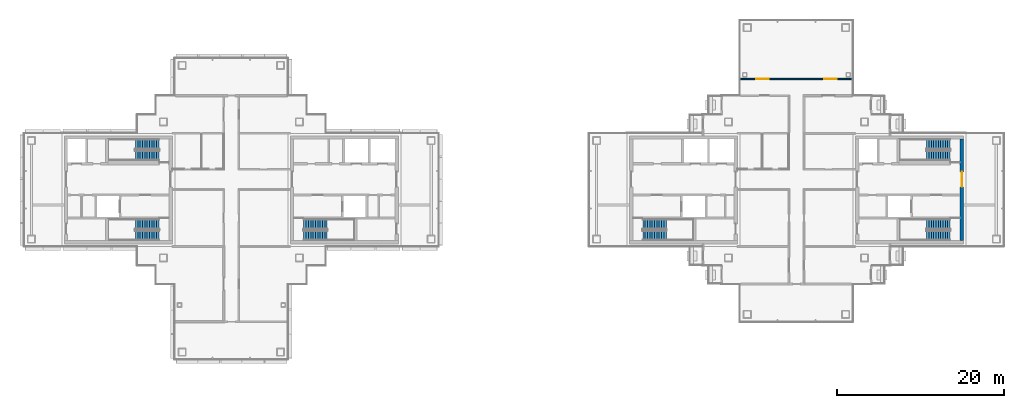
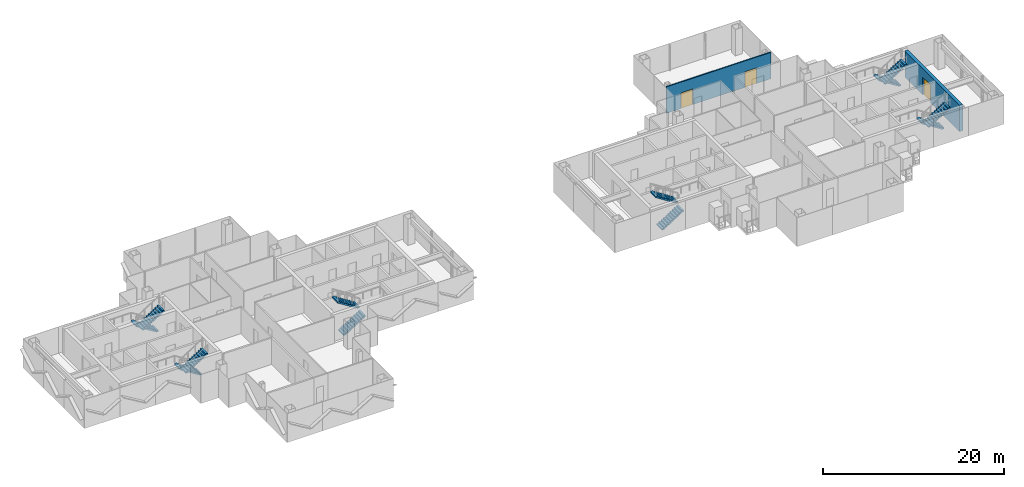
# One storey, part 13 of 17: 12 stair flights, 3 doors, 2 walls, 3 openings, 6 elements without a shape of their own.
"""IFC4 building model written with IfcOpenShell, lengths in metres."""

from ifc_helpers import new_model, si_unit, direction, frame, frame_2d, origin, place, context, subcontext, project, spatial, polyline, rectangle, outline, extrude, material, layer, layer_set, type_object, element, fill, aggregate, save


model = new_model("IFC4")

# Units and contexts
model_context = context("Model", 3, precision=1e-05, world=origin(), true_north=direction((0.0, 1.0)))
body_context = subcontext(model_context, "Body", "Model", "MODEL_VIEW")
ifc_project = project(units=[si_unit("LENGTHUNIT", "METRE"), si_unit("AREAUNIT", "SQUARE_METRE"), si_unit("VOLUMEUNIT", "CUBIC_METRE"), si_unit("PLANEANGLEUNIT", "RADIAN"), si_unit("MASSUNIT", "GRAM", prefix="KILO")], contexts=[model_context])

# Site, building, storey
site_placement = place(None, origin())
site = spatial("IfcSite", under=ifc_project, at=site_placement, CompositionType="ELEMENT")
building_placement = place(site_placement, origin())
building = spatial("IfcBuilding", under=site, at=building_placement, Name="Shamsa Quay Exchange Towers", CompositionType="ELEMENT")
storey_placement = place(building_placement, frame((0.0, 0.0, 230.39990234375)))
storey = spatial("IfcBuildingStorey", under=building, at=storey_placement, Name="L55", CompositionType="ELEMENT", Elevation=230.39990234375)

# Wall, opening, door
ifc_material_1 = material(Name="Concrete C60/75", Category="concrete")
ifc_layer_1 = layer(ifc_material_1, 0.39990234375)
ifc_layer_set_1 = layer_set([ifc_layer_1], Name="CORE WALL 400 C60/75")
wall_type_1 = type_object("IfcWallType", Name="CORE WALL 400 C60/75", PredefinedType="SHEAR", material=ifc_layer_set_1)
wall_1_placement = place(storey_placement, frame((53.5, -6.050048828125, 0.0), z_axis=(0.0, 0.0, 1.0), x_axis=(0.0, 1.0, 0.0)))
wall_1 = element("IfcWall", 1, at=wall_1_placement, inside=storey, type_object=wall_type_1, Name="Core wall T2B-R25-PF", PredefinedType="SHEAR", context=body_context, shape_type="SweptSolid", body=[
    extrude(rectangle(XDim=12.10009765625, YDim=0.39990234375, at=frame_2d((6.050048828125, 0.0))), origin(), (0.0, 0.0, 1.0), 3.550048828125),
])
opening_1_placement = place(wall_1_placement, frame((6.39990234375, 0.0, 0.0)))
opening_1 = element("IfcOpeningElement", 2, at=opening_1_placement, cuts=wall_1, Name="Opening T2B-R25-LBD01", PredefinedType="OPENING", context=body_context, shape_type="SweptSolid", body=[
    extrude(rectangle(XDim=1.800048828125, YDim=2.39990234375, at=frame_2d((0.89990234375, 1.199951171875))), frame((0.0, 0.2099609375, 0.0), z_axis=(0.0, -1.0, 0.0), x_axis=(1.0, 0.0, 0.0)), (0.0, 0.0, 1.0), 0.419921875),
])
ifc_material_2 = material(Name="Steel, fire rated", Category="steel")
door_type_1 = type_object("IfcDoorType", Name="LIFT LOBBY DOOR PAIR 1800", OperationType="DOUBLE_DOOR_SINGLE_SWING", PredefinedType="DOOR", material=ifc_material_2)
door_1_placement = place(opening_1_placement, origin())
door_1 = element("IfcDoor", 3, at=door_1_placement, inside=storey, type_object=door_type_1, Name="T2B-R25-LBD01", OperationType="DOUBLE_DOOR_SINGLE_SWING", OverallHeight=2.39990234375, OverallWidth=1.800048828125, PredefinedType="DOOR", context=body_context, shape_type="SweptSolid", body=[
    extrude(rectangle(XDim=1.800048828125, YDim=2.39990234375, at=frame_2d((0.89990234375, 1.199951171875))), frame((0.0, 0.02490234375, 0.0), z_axis=(0.0, -1.0, 0.0), x_axis=(1.0, 0.0, 0.0)), (0.0, 0.0, 1.0), 0.050048828125),
])
fill(opening_1, door_1)

# Wall, openings, doors
ifc_material_3 = material(Name="Gypsum board partition on metal studs")
ifc_layer_2 = layer(ifc_material_3, 0.14990234375)
ifc_layer_set_2 = layer_set([ifc_layer_2], Name="Partition 150 mm EI 60")
wall_type_2 = type_object("IfcWallType", Name="Partition 150 mm EI 60", PredefinedType="PARTITIONING", material=ifc_layer_set_2)
wall_2_placement = place(storey_placement, frame((40.405029296875, 13.25, 0.0), z_axis=(0.0, 0.0, 1.0), x_axis=(-1.0, 0.0, 0.0)))
wall_2 = element("IfcWall", 4, at=wall_2_placement, inside=storey, type_object=wall_type_2, Name="Partition T2-R25-W13", PredefinedType="PARTITIONING", context=body_context, shape_type="SweptSolid", body=[
    extrude(rectangle(XDim=13.31005859375, YDim=0.14990234375, at=frame_2d((6.655029296875, 0.0))), origin(), (0.0, 0.0, 1.0), 3.550048828125),
])
opening_2_placement = place(wall_2_placement, frame((9.955078125, 0.0, 0.0)))
opening_2 = element("IfcOpeningElement", 5, at=opening_2_placement, cuts=wall_2, Name="Opening T2-R25-D11", PredefinedType="OPENING", context=body_context, shape_type="SweptSolid", body=[
    extrude(rectangle(XDim=1.5, YDim=2.10009765625, at=frame_2d((0.75, 1.050048828125))), frame((0.0, 0.0849609375, 0.0), z_axis=(0.0, -1.0, 0.0), x_axis=(1.0, 0.0, 0.0)), (0.0, 0.0, 1.0), 0.169921875),
])
opening_3_placement = place(wall_2_placement, frame((1.85498046875, 0.0, 0.0)))
opening_3 = element("IfcOpeningElement", 6, at=opening_3_placement, cuts=wall_2, Name="Opening T2-R25-D12", PredefinedType="OPENING", context=body_context, shape_type="SweptSolid", body=[
    extrude(rectangle(XDim=1.5, YDim=2.10009765625, at=frame_2d((0.75, 1.050048828125))), frame((0.0, 0.0849609375, 0.0), z_axis=(0.0, -1.0, 0.0), x_axis=(1.0, 0.0, 0.0)), (0.0, 0.0, 1.0), 0.169921875),
])
ifc_material_4 = material(Name="Timber door leaf in a metal frame", Category="wood")
door_type_2 = type_object("IfcDoorType", Name="Door 1500x2100 FD30S pair", OperationType="NOTDEFINED", PredefinedType="DOOR", material=ifc_material_4)
door_2_placement = place(opening_2_placement, origin())
door_2 = element("IfcDoor", 7, at=door_2_placement, inside=storey, type_object=door_type_2, Name="Door T2-R25-D11", OperationType="DOUBLE_DOOR_SINGLE_SWING", OverallHeight=2.10009765625, OverallWidth=1.5, PredefinedType="DOOR", context=body_context, shape_type="SweptSolid", body=[
    extrude(rectangle(XDim=1.5, YDim=2.10009765625, at=frame_2d((0.75, 1.050048828125))), frame((0.0, 0.02490234375, 0.0), z_axis=(0.0, -1.0, 0.0), x_axis=(1.0, 0.0, 0.0)), (0.0, 0.0, 1.0), 0.050048828125),
])
fill(opening_2, door_2)
door_3_placement = place(opening_3_placement, origin())
door_3 = element("IfcDoor", 8, at=door_3_placement, inside=storey, type_object=door_type_2, Name="Door T2-R25-D12", OperationType="DOUBLE_DOOR_SINGLE_SWING", OverallHeight=2.10009765625, OverallWidth=1.5, PredefinedType="DOOR", context=body_context, shape_type="SweptSolid", body=[
    extrude(rectangle(XDim=1.5, YDim=2.10009765625, at=frame_2d((0.75, 1.050048828125))), frame((0.0, 0.02490234375, 0.0), z_axis=(0.0, -1.0, 0.0), x_axis=(1.0, 0.0, 0.0)), (0.0, 0.0, 1.0), 0.050048828125),
])
fill(opening_3, door_3)

# Stair, stair flights
ifc_material_5 = material(Name="Concrete C40/50", Category="concrete")
stair_type = type_object("IfcStairType", Name="EXIT STAIR 22 RISERS 177 MM", PredefinedType="HALF_TURN_STAIR", material=ifc_material_5)
stair_1_placement = place(storey_placement, origin())
stair_1 = element("IfcStair", 9, at=stair_1_placement, inside=storey, type_object=stair_type, Name="L55 Exit stair ST1", PredefinedType="HALF_TURN_STAIR")
stair_flight_type = type_object("IfcStairFlightType", Name="EXIT STAIR FLIGHT 11 RISERS 177 MM", PredefinedType="STRAIGHT", material=ifc_material_5)
stair_flight_1_placement = place(storey_placement, frame((-25.10009765625, -5.449951171875, 0.0)))
stair_flight_1 = element("IfcStairFlight", 10, at=stair_flight_1_placement, type_object=stair_flight_type, Name="ST1 flight 1", NumberOfRisers=11, NumberOfTreads=10, PredefinedType="STRAIGHT", RiserHeight=0.177272727, TreadLength=0.28, context=body_context, shape_type="SweptSolid", body=[
    extrude(outline(polyline([(0.0, 0.0), (0.0, 0.17724609375), (0.280029296875, 0.17724609375), (0.280029296875, 0.3544921875), (0.56005859375, 0.3544921875), (0.56005859375, 0.53173828125), (0.840087890625, 0.53173828125), (0.840087890625, 0.708984375), (1.1201171875, 0.708984375), (1.1201171875, 0.886474609375), (1.39990234375, 0.886474609375), (1.39990234375, 1.063720703125), (1.679931640625, 1.063720703125), (1.679931640625, 1.240966796875), (1.9599609375, 1.240966796875), (1.9599609375, 1.418212890625), (2.239990234375, 1.418212890625), (2.239990234375, 1.595458984375), (2.52001953125, 1.595458984375), (2.52001953125, 1.772705078125), (2.800048828125, 1.772705078125), (2.800048828125, 1.949951171875), (2.800048828125, 1.607177734375), (0.261474609375, 0.0), (0.0, 0.0)])), frame((0.0, 0.60009765625, 0.0), z_axis=(0.0, -1.0, 0.0), x_axis=(1.0, 0.0, 0.0)), (0.0, 0.0, 1.0), 1.199951171875),
])
stair_flight_2_placement = place(storey_placement, frame((-22.300048828125, -4.10009765625, 1.9501953125), z_axis=(0.0, 0.0, 1.0), x_axis=(-1.0, 0.0, 0.0)))
stair_flight_2 = element("IfcStairFlight", 11, at=stair_flight_2_placement, type_object=stair_flight_type, Name="ST1 flight 2", NumberOfRisers=11, NumberOfTreads=10, PredefinedType="STRAIGHT", RiserHeight=0.177272727, TreadLength=0.28, context=body_context, shape_type="SweptSolid", body=[
    extrude(outline(polyline([(0.0, 0.0), (0.0, 0.17724609375), (0.280029296875, 0.17724609375), (0.280029296875, 0.3544921875), (0.56005859375, 0.3544921875), (0.56005859375, 0.53173828125), (0.840087890625, 0.53173828125), (0.840087890625, 0.708984375), (1.1201171875, 0.708984375), (1.1201171875, 0.886474609375), (1.39990234375, 0.886474609375), (1.39990234375, 1.063720703125), (1.679931640625, 1.063720703125), (1.679931640625, 1.240966796875), (1.9599609375, 1.240966796875), (1.9599609375, 1.418212890625), (2.239990234375, 1.418212890625), (2.239990234375, 1.595458984375), (2.52001953125, 1.595458984375), (2.52001953125, 1.772705078125), (2.800048828125, 1.772705078125), (2.800048828125, 1.949951171875), (2.800048828125, 1.607177734375), (0.261474609375, 0.0), (0.0, 0.0)])), frame((0.0, 0.60009765625, 0.0), z_axis=(0.0, -1.0, 0.0), x_axis=(1.0, 0.0, 0.0)), (0.0, 0.0, 1.0), 1.199951171875),
])
aggregate(stair_1, [stair_flight_1, stair_flight_2])

stair_2_placement = place(storey_placement, origin())
stair_2 = element("IfcStair", 12, at=stair_2_placement, inside=storey, type_object=stair_type, Name="L55 Exit stair ST2", PredefinedType="HALF_TURN_STAIR")
stair_flight_3_placement = place(storey_placement, frame((-42.39990234375, -4.10009765625, 0.0), z_axis=(0.0, 0.0, 1.0), x_axis=(-1.0, 0.0, 0.0)))
stair_flight_3 = element("IfcStairFlight", 13, at=stair_flight_3_placement, type_object=stair_flight_type, Name="ST2 flight 1", NumberOfRisers=11, NumberOfTreads=10, PredefinedType="STRAIGHT", RiserHeight=0.177272727, TreadLength=0.28, context=body_context, shape_type="SweptSolid", body=[
    extrude(outline(polyline([(0.0, 0.0), (0.0, 0.17724609375), (0.280029296875, 0.17724609375), (0.280029296875, 0.3544921875), (0.56005859375, 0.3544921875), (0.56005859375, 0.53173828125), (0.840087890625, 0.53173828125), (0.840087890625, 0.708984375), (1.1201171875, 0.708984375), (1.1201171875, 0.886474609375), (1.39990234375, 0.886474609375), (1.39990234375, 1.063720703125), (1.679931640625, 1.063720703125), (1.679931640625, 1.240966796875), (1.9599609375, 1.240966796875), (1.9599609375, 1.418212890625), (2.239990234375, 1.418212890625), (2.239990234375, 1.595458984375), (2.52001953125, 1.595458984375), (2.52001953125, 1.772705078125), (2.800048828125, 1.772705078125), (2.800048828125, 1.949951171875), (2.800048828125, 1.607177734375), (0.261474609375, 0.0), (0.0, 0.0)])), frame((0.0, 0.60009765625, 0.0), z_axis=(0.0, -1.0, 0.0), x_axis=(1.0, 0.0, 0.0)), (0.0, 0.0, 1.0), 1.199951171875),
])
stair_flight_4_placement = place(storey_placement, frame((-45.199951171875, -5.449951171875, 1.9501953125)))
stair_flight_4 = element("IfcStairFlight", 14, at=stair_flight_4_placement, type_object=stair_flight_type, Name="ST2 flight 2", NumberOfRisers=11, NumberOfTreads=10, PredefinedType="STRAIGHT", RiserHeight=0.177272727, TreadLength=0.28, context=body_context, shape_type="SweptSolid", body=[
    extrude(outline(polyline([(0.0, 0.0), (0.0, 0.17724609375), (0.280029296875, 0.17724609375), (0.280029296875, 0.3544921875), (0.56005859375, 0.3544921875), (0.56005859375, 0.53173828125), (0.840087890625, 0.53173828125), (0.840087890625, 0.708984375), (1.1201171875, 0.708984375), (1.1201171875, 0.886474609375), (1.39990234375, 0.886474609375), (1.39990234375, 1.063720703125), (1.679931640625, 1.063720703125), (1.679931640625, 1.240966796875), (1.9599609375, 1.240966796875), (1.9599609375, 1.418212890625), (2.239990234375, 1.418212890625), (2.239990234375, 1.595458984375), (2.52001953125, 1.595458984375), (2.52001953125, 1.772705078125), (2.800048828125, 1.772705078125), (2.800048828125, 1.949951171875), (2.800048828125, 1.607177734375), (0.261474609375, 0.0), (0.0, 0.0)])), frame((0.0, 0.60009765625, 0.0), z_axis=(0.0, -1.0, 0.0), x_axis=(1.0, 0.0, 0.0)), (0.0, 0.0, 1.0), 1.199951171875),
])
aggregate(stair_2, [stair_flight_3, stair_flight_4])

stair_3_placement = place(storey_placement, origin())
stair_3 = element("IfcStair", 15, at=stair_3_placement, inside=storey, type_object=stair_type, Name="L55 Exit stair ST3", PredefinedType="HALF_TURN_STAIR")
stair_flight_5_placement = place(storey_placement, frame((-42.39990234375, 5.449951171875, 0.0), z_axis=(0.0, 0.0, 1.0), x_axis=(-1.0, 0.0, 0.0)))
stair_flight_5 = element("IfcStairFlight", 16, at=stair_flight_5_placement, type_object=stair_flight_type, Name="ST3 flight 1", NumberOfRisers=11, NumberOfTreads=10, PredefinedType="STRAIGHT", RiserHeight=0.177272727, TreadLength=0.28, context=body_context, shape_type="SweptSolid", body=[
    extrude(outline(polyline([(0.0, 0.0), (0.0, 0.17724609375), (0.280029296875, 0.17724609375), (0.280029296875, 0.3544921875), (0.56005859375, 0.3544921875), (0.56005859375, 0.53173828125), (0.840087890625, 0.53173828125), (0.840087890625, 0.708984375), (1.1201171875, 0.708984375), (1.1201171875, 0.886474609375), (1.39990234375, 0.886474609375), (1.39990234375, 1.063720703125), (1.679931640625, 1.063720703125), (1.679931640625, 1.240966796875), (1.9599609375, 1.240966796875), (1.9599609375, 1.418212890625), (2.239990234375, 1.418212890625), (2.239990234375, 1.595458984375), (2.52001953125, 1.595458984375), (2.52001953125, 1.772705078125), (2.800048828125, 1.772705078125), (2.800048828125, 1.949951171875), (2.800048828125, 1.607177734375), (0.261474609375, 0.0), (0.0, 0.0)])), frame((0.0, 0.60009765625, 0.0), z_axis=(0.0, -1.0, 0.0), x_axis=(1.0, 0.0, 0.0)), (0.0, 0.0, 1.0), 1.199951171875),
])
stair_flight_6_placement = place(storey_placement, frame((-45.199951171875, 4.10009765625, 1.9501953125)))
stair_flight_6 = element("IfcStairFlight", 17, at=stair_flight_6_placement, type_object=stair_flight_type, Name="ST3 flight 2", NumberOfRisers=11, NumberOfTreads=10, PredefinedType="STRAIGHT", RiserHeight=0.177272727, TreadLength=0.28, context=body_context, shape_type="SweptSolid", body=[
    extrude(outline(polyline([(0.0, 0.0), (0.0, 0.17724609375), (0.280029296875, 0.17724609375), (0.280029296875, 0.3544921875), (0.56005859375, 0.3544921875), (0.56005859375, 0.53173828125), (0.840087890625, 0.53173828125), (0.840087890625, 0.708984375), (1.1201171875, 0.708984375), (1.1201171875, 0.886474609375), (1.39990234375, 0.886474609375), (1.39990234375, 1.063720703125), (1.679931640625, 1.063720703125), (1.679931640625, 1.240966796875), (1.9599609375, 1.240966796875), (1.9599609375, 1.418212890625), (2.239990234375, 1.418212890625), (2.239990234375, 1.595458984375), (2.52001953125, 1.595458984375), (2.52001953125, 1.772705078125), (2.800048828125, 1.772705078125), (2.800048828125, 1.949951171875), (2.800048828125, 1.607177734375), (0.261474609375, 0.0), (0.0, 0.0)])), frame((0.0, 0.60009765625, 0.0), z_axis=(0.0, -1.0, 0.0), x_axis=(1.0, 0.0, 0.0)), (0.0, 0.0, 1.0), 1.199951171875),
])
aggregate(stair_3, [stair_flight_5, stair_flight_6])

stair_4_placement = place(storey_placement, origin())
stair_4 = element("IfcStair", 18, at=stair_4_placement, inside=storey, type_object=stair_type, Name="L55 Exit stair ST4", PredefinedType="HALF_TURN_STAIR")
stair_flight_7_placement = place(storey_placement, frame((15.39990234375, -5.449951171875, 0.0)))
stair_flight_7 = element("IfcStairFlight", 19, at=stair_flight_7_placement, type_object=stair_flight_type, Name="ST4 flight 1", NumberOfRisers=11, NumberOfTreads=10, PredefinedType="STRAIGHT", RiserHeight=0.177272727, TreadLength=0.28, context=body_context, shape_type="SweptSolid", body=[
    extrude(outline(polyline([(0.0, 0.0), (0.0, 0.17724609375), (0.280029296875, 0.17724609375), (0.280029296875, 0.3544921875), (0.56005859375, 0.3544921875), (0.56005859375, 0.53173828125), (0.840087890625, 0.53173828125), (0.840087890625, 0.708984375), (1.1201171875, 0.708984375), (1.1201171875, 0.886474609375), (1.39990234375, 0.886474609375), (1.39990234375, 1.063720703125), (1.679931640625, 1.063720703125), (1.679931640625, 1.240966796875), (1.9599609375, 1.240966796875), (1.9599609375, 1.418212890625), (2.239990234375, 1.418212890625), (2.239990234375, 1.595458984375), (2.52001953125, 1.595458984375), (2.52001953125, 1.772705078125), (2.800048828125, 1.772705078125), (2.800048828125, 1.949951171875), (2.800048828125, 1.607177734375), (0.261474609375, 0.0), (0.0, 0.0)])), frame((0.0, 0.60009765625, 0.0), z_axis=(0.0, -1.0, 0.0), x_axis=(1.0, 0.0, 0.0)), (0.0, 0.0, 1.0), 1.199951171875),
])
stair_flight_8_placement = place(storey_placement, frame((18.199951171875, -4.10009765625, 1.9501953125), z_axis=(0.0, 0.0, 1.0), x_axis=(-1.0, 0.0, 0.0)))
stair_flight_8 = element("IfcStairFlight", 20, at=stair_flight_8_placement, type_object=stair_flight_type, Name="ST4 flight 2", NumberOfRisers=11, NumberOfTreads=10, PredefinedType="STRAIGHT", RiserHeight=0.177272727, TreadLength=0.28, context=body_context, shape_type="SweptSolid", body=[
    extrude(outline(polyline([(0.0, 0.0), (0.0, 0.17724609375), (0.280029296875, 0.17724609375), (0.280029296875, 0.3544921875), (0.56005859375, 0.3544921875), (0.56005859375, 0.53173828125), (0.840087890625, 0.53173828125), (0.840087890625, 0.708984375), (1.1201171875, 0.708984375), (1.1201171875, 0.886474609375), (1.39990234375, 0.886474609375), (1.39990234375, 1.063720703125), (1.679931640625, 1.063720703125), (1.679931640625, 1.240966796875), (1.9599609375, 1.240966796875), (1.9599609375, 1.418212890625), (2.239990234375, 1.418212890625), (2.239990234375, 1.595458984375), (2.52001953125, 1.595458984375), (2.52001953125, 1.772705078125), (2.800048828125, 1.772705078125), (2.800048828125, 1.949951171875), (2.800048828125, 1.607177734375), (0.261474609375, 0.0), (0.0, 0.0)])), frame((0.0, 0.60009765625, 0.0), z_axis=(0.0, -1.0, 0.0), x_axis=(1.0, 0.0, 0.0)), (0.0, 0.0, 1.0), 1.199951171875),
])
aggregate(stair_4, [stair_flight_7, stair_flight_8])

stair_5_placement = place(storey_placement, origin())
stair_5 = element("IfcStair", 21, at=stair_5_placement, inside=storey, type_object=stair_type, Name="L55 Exit stair ST5", PredefinedType="HALF_TURN_STAIR")
stair_flight_9_placement = place(storey_placement, frame((52.10009765625, -4.10009765625, 0.0), z_axis=(0.0, 0.0, 1.0), x_axis=(-1.0, 0.0, 0.0)))
stair_flight_9 = element("IfcStairFlight", 22, at=stair_flight_9_placement, type_object=stair_flight_type, Name="ST5 flight 1", NumberOfRisers=11, NumberOfTreads=10, PredefinedType="STRAIGHT", RiserHeight=0.177272727, TreadLength=0.28, context=body_context, shape_type="SweptSolid", body=[
    extrude(outline(polyline([(0.0, 0.0), (0.0, 0.17724609375), (0.280029296875, 0.17724609375), (0.280029296875, 0.3544921875), (0.56005859375, 0.3544921875), (0.56005859375, 0.53173828125), (0.840087890625, 0.53173828125), (0.840087890625, 0.708984375), (1.1201171875, 0.708984375), (1.1201171875, 0.886474609375), (1.39990234375, 0.886474609375), (1.39990234375, 1.063720703125), (1.679931640625, 1.063720703125), (1.679931640625, 1.240966796875), (1.9599609375, 1.240966796875), (1.9599609375, 1.418212890625), (2.239990234375, 1.418212890625), (2.239990234375, 1.595458984375), (2.52001953125, 1.595458984375), (2.52001953125, 1.772705078125), (2.800048828125, 1.772705078125), (2.800048828125, 1.949951171875), (2.800048828125, 1.607177734375), (0.261474609375, 0.0), (0.0, 0.0)])), frame((0.0, 0.60009765625, 0.0), z_axis=(0.0, -1.0, 0.0), x_axis=(1.0, 0.0, 0.0)), (0.0, 0.0, 1.0), 1.199951171875),
])
stair_flight_10_placement = place(storey_placement, frame((49.300048828125, -5.449951171875, 1.9501953125)))
stair_flight_10 = element("IfcStairFlight", 23, at=stair_flight_10_placement, type_object=stair_flight_type, Name="ST5 flight 2", NumberOfRisers=11, NumberOfTreads=10, PredefinedType="STRAIGHT", RiserHeight=0.177272727, TreadLength=0.28, context=body_context, shape_type="SweptSolid", body=[
    extrude(outline(polyline([(0.0, 0.0), (0.0, 0.17724609375), (0.280029296875, 0.17724609375), (0.280029296875, 0.3544921875), (0.56005859375, 0.3544921875), (0.56005859375, 0.53173828125), (0.840087890625, 0.53173828125), (0.840087890625, 0.708984375), (1.1201171875, 0.708984375), (1.1201171875, 0.886474609375), (1.39990234375, 0.886474609375), (1.39990234375, 1.063720703125), (1.679931640625, 1.063720703125), (1.679931640625, 1.240966796875), (1.9599609375, 1.240966796875), (1.9599609375, 1.418212890625), (2.239990234375, 1.418212890625), (2.239990234375, 1.595458984375), (2.52001953125, 1.595458984375), (2.52001953125, 1.772705078125), (2.800048828125, 1.772705078125), (2.800048828125, 1.949951171875), (2.800048828125, 1.607177734375), (0.261474609375, 0.0), (0.0, 0.0)])), frame((0.0, 0.60009765625, 0.0), z_axis=(0.0, -1.0, 0.0), x_axis=(1.0, 0.0, 0.0)), (0.0, 0.0, 1.0), 1.199951171875),
])
aggregate(stair_5, [stair_flight_9, stair_flight_10])

stair_6_placement = place(storey_placement, origin())
stair_6 = element("IfcStair", 24, at=stair_6_placement, inside=storey, type_object=stair_type, Name="L55 Exit stair ST6", PredefinedType="HALF_TURN_STAIR")
stair_flight_11_placement = place(storey_placement, frame((52.10009765625, 5.449951171875, 0.0), z_axis=(0.0, 0.0, 1.0), x_axis=(-1.0, 0.0, 0.0)))
stair_flight_11 = element("IfcStairFlight", 25, at=stair_flight_11_placement, type_object=stair_flight_type, Name="ST6 flight 1", NumberOfRisers=11, NumberOfTreads=10, PredefinedType="STRAIGHT", RiserHeight=0.177272727, TreadLength=0.28, context=body_context, shape_type="SweptSolid", body=[
    extrude(outline(polyline([(0.0, 0.0), (0.0, 0.17724609375), (0.280029296875, 0.17724609375), (0.280029296875, 0.3544921875), (0.56005859375, 0.3544921875), (0.56005859375, 0.53173828125), (0.840087890625, 0.53173828125), (0.840087890625, 0.708984375), (1.1201171875, 0.708984375), (1.1201171875, 0.886474609375), (1.39990234375, 0.886474609375), (1.39990234375, 1.063720703125), (1.679931640625, 1.063720703125), (1.679931640625, 1.240966796875), (1.9599609375, 1.240966796875), (1.9599609375, 1.418212890625), (2.239990234375, 1.418212890625), (2.239990234375, 1.595458984375), (2.52001953125, 1.595458984375), (2.52001953125, 1.772705078125), (2.800048828125, 1.772705078125), (2.800048828125, 1.949951171875), (2.800048828125, 1.607177734375), (0.261474609375, 0.0), (0.0, 0.0)])), frame((0.0, 0.60009765625, 0.0), z_axis=(0.0, -1.0, 0.0), x_axis=(1.0, 0.0, 0.0)), (0.0, 0.0, 1.0), 1.199951171875),
])
stair_flight_12_placement = place(storey_placement, frame((49.300048828125, 4.10009765625, 1.9501953125)))
stair_flight_12 = element("IfcStairFlight", 26, at=stair_flight_12_placement, type_object=stair_flight_type, Name="ST6 flight 2", NumberOfRisers=11, NumberOfTreads=10, PredefinedType="STRAIGHT", RiserHeight=0.177272727, TreadLength=0.28, context=body_context, shape_type="SweptSolid", body=[
    extrude(outline(polyline([(0.0, 0.0), (0.0, 0.17724609375), (0.280029296875, 0.17724609375), (0.280029296875, 0.3544921875), (0.56005859375, 0.3544921875), (0.56005859375, 0.53173828125), (0.840087890625, 0.53173828125), (0.840087890625, 0.708984375), (1.1201171875, 0.708984375), (1.1201171875, 0.886474609375), (1.39990234375, 0.886474609375), (1.39990234375, 1.063720703125), (1.679931640625, 1.063720703125), (1.679931640625, 1.240966796875), (1.9599609375, 1.240966796875), (1.9599609375, 1.418212890625), (2.239990234375, 1.418212890625), (2.239990234375, 1.595458984375), (2.52001953125, 1.595458984375), (2.52001953125, 1.772705078125), (2.800048828125, 1.772705078125), (2.800048828125, 1.949951171875), (2.800048828125, 1.607177734375), (0.261474609375, 0.0), (0.0, 0.0)])), frame((0.0, 0.60009765625, 0.0), z_axis=(0.0, -1.0, 0.0), x_axis=(1.0, 0.0, 0.0)), (0.0, 0.0, 1.0), 1.199951171875),
])
aggregate(stair_6, [stair_flight_11, stair_flight_12])

save(model, "model.ifc")
